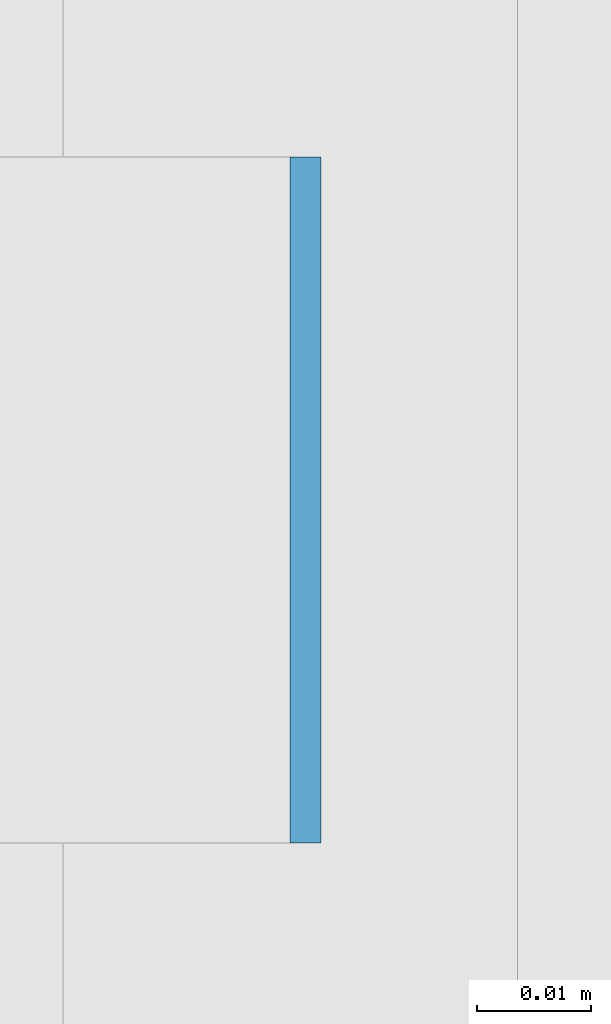
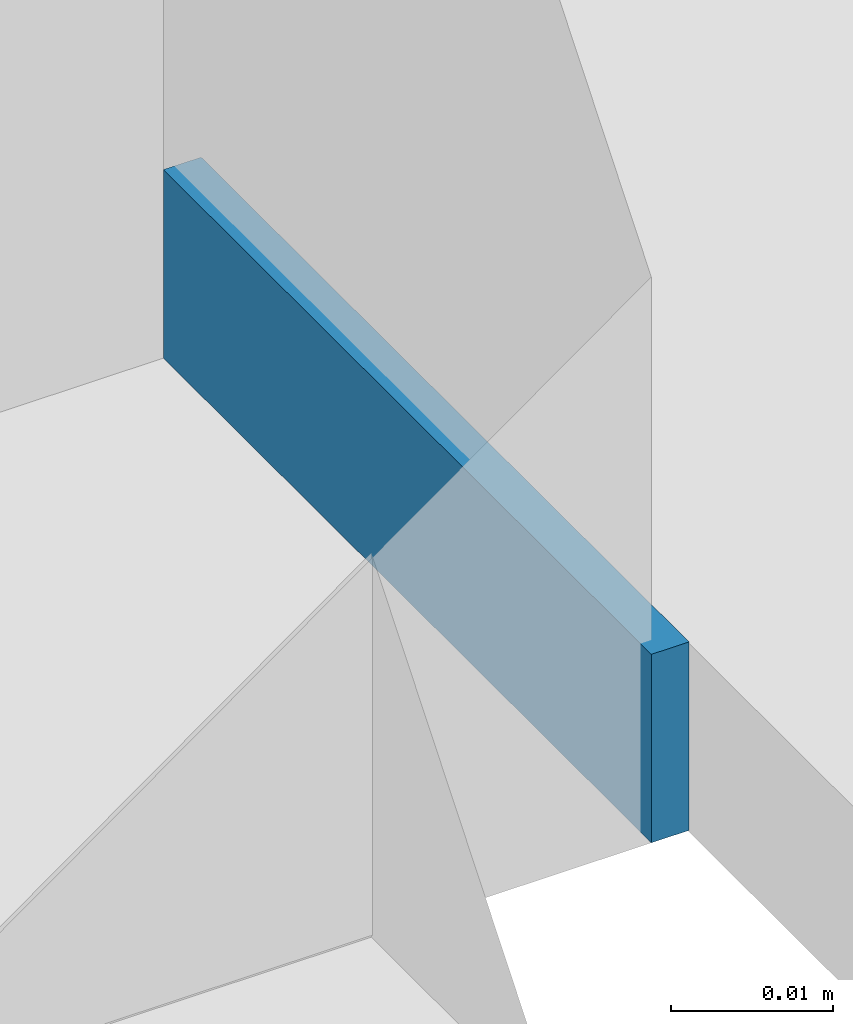
# One storey, part 274 of 646: 1 discrete accessory.
"""IFC4 building model written with IfcOpenShell, lengths in metres."""

from ifc_helpers import new_model, si_unit, direction, frame, origin, origin_2d, place, context, subcontext, project, spatial, rectangle, extrude, material, type_object, element, save


model = new_model("IFC4")

# Units and contexts
model_context = context("Model", 3, precision=1e-05, world=origin(), true_north=direction((0.0, 1.0)))
body_context = subcontext(model_context, "Body", "Model", "MODEL_VIEW")
ifc_project = project(units=[si_unit("LENGTHUNIT", "METRE"), si_unit("AREAUNIT", "SQUARE_METRE"), si_unit("VOLUMEUNIT", "CUBIC_METRE"), si_unit("PLANEANGLEUNIT", "RADIAN"), si_unit("MASSUNIT", "GRAM", prefix="KILO")], contexts=[model_context])

# Site, building, storey
site_placement = place(None, origin())
site = spatial("IfcSite", under=ifc_project, at=site_placement, CompositionType="ELEMENT")
building_placement = place(site_placement, origin())
building = spatial("IfcBuilding", under=site, at=building_placement, Name="Silverbay Arena", CompositionType="ELEMENT")
storey_placement = place(building_placement, frame((0.0, 0.0, 33.5)))
storey = spatial("IfcBuildingStorey", under=building, at=storey_placement, Name="L05", CompositionType="ELEMENT", Elevation=33.5)

# Discrete accessory
ifc_material = material(Name="Steel S355", Category="steel")
discrete_accessory_type = type_object("IfcDiscreteAccessoryType", Name="Steel bracket plate", PredefinedType="BRACKET", material=ifc_material)
discrete_accessory_placement = place(storey_placement, frame((53.871337890625, 47.571533203125, 4.0), z_axis=(0.0, 0.0, 1.0), x_axis=(1.0, 0.0, 0.0)))
element("IfcDiscreteAccessory", 1, at=discrete_accessory_placement, inside=storey, type_object=discrete_accessory_type, Name="Curtain wall packing plate", PredefinedType="BRACKET", context=body_context, shape_type="SweptSolid", body=[
    extrude(rectangle(XDim=0.002685546875, YDim=0.06005859375, at=origin_2d()), origin(), (0.0, 0.0, 1.0), 0.01416015625),
])

save(model, "model.ifc")
